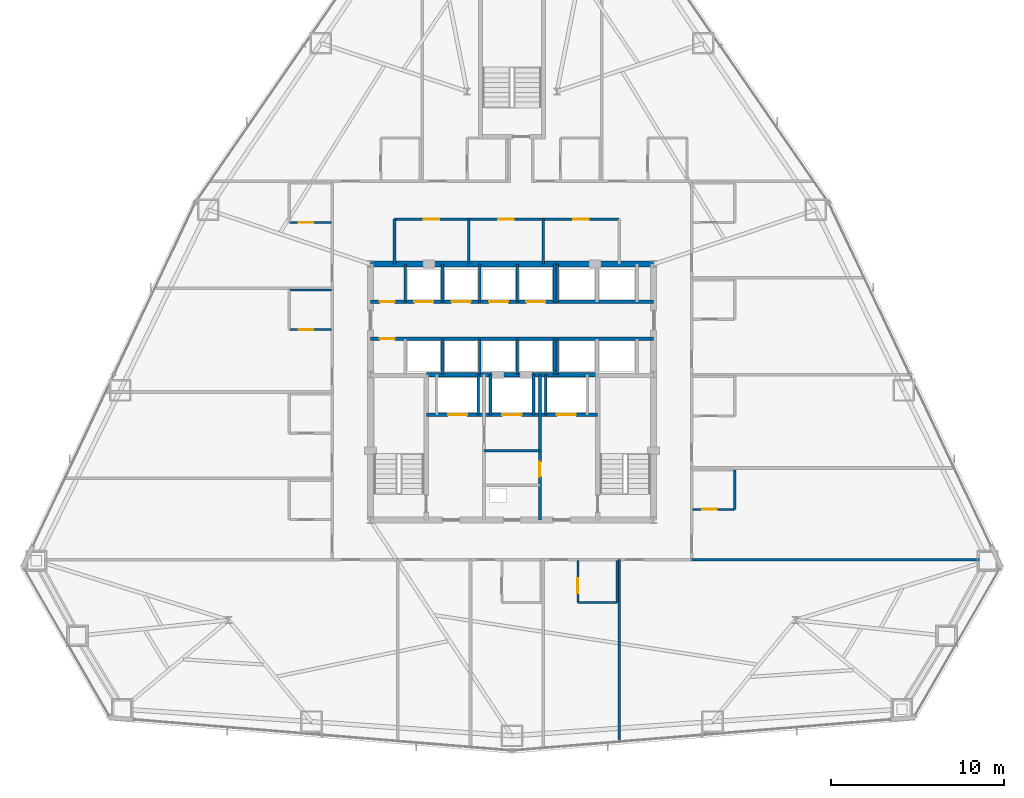
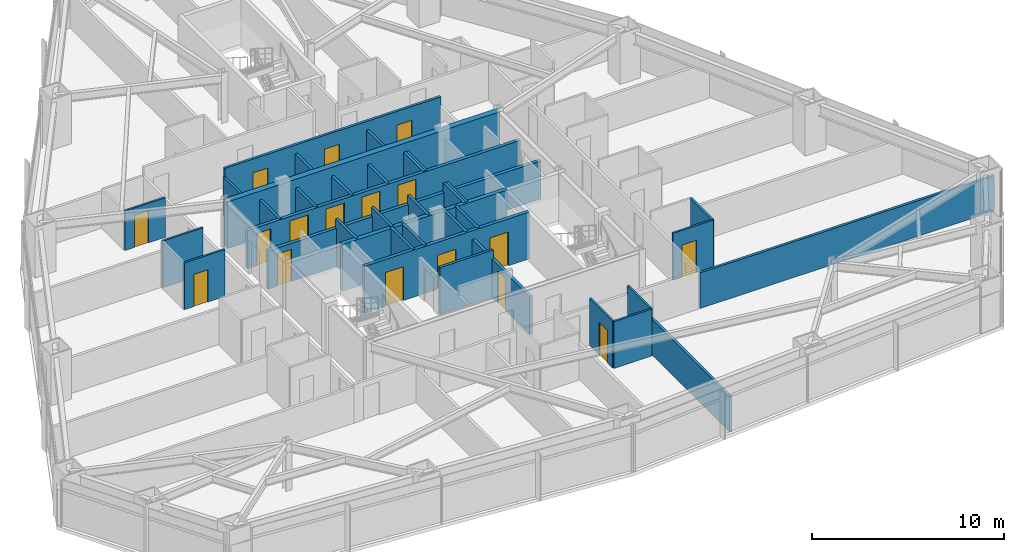
# One storey, part 10 of 13: 36 walls, 17 doors, 17 openings.
"""IFC4 building model written with IfcOpenShell, lengths in metres."""

from ifc_helpers import new_model, si_unit, direction, frame, frame_2d, origin, place, context, subcontext, project, spatial, rectangle, extrude, material, layer, layer_set, type_object, element, fill, save


model = new_model("IFC4")

# Units and contexts
model_context = context("Model", 3, precision=1e-05, world=origin(), true_north=direction((0.0, 1.0)))
body_context = subcontext(model_context, "Body", "Model", "MODEL_VIEW")
ifc_project = project(units=[si_unit("LENGTHUNIT", "METRE"), si_unit("AREAUNIT", "SQUARE_METRE"), si_unit("VOLUMEUNIT", "CUBIC_METRE"), si_unit("PLANEANGLEUNIT", "RADIAN"), si_unit("MASSUNIT", "GRAM", prefix="KILO")], contexts=[model_context])

# Site, building, storey
site_placement = place(None, origin())
site = spatial("IfcSite", under=ifc_project, at=site_placement, CompositionType="ELEMENT")
building_placement = place(site_placement, origin())
building = spatial("IfcBuilding", under=site, at=building_placement, Name="Varakhsha Concourse Tower", CompositionType="ELEMENT")
storey_placement = place(building_placement, frame((0.0, 0.0, 46.39990234375)))
storey = spatial("IfcBuildingStorey", under=building, at=storey_placement, Name="L12", CompositionType="ELEMENT", Elevation=46.39990234375)

# Wall
ifc_material_1 = material(Name="Concrete fc 65 MPa", Category="concrete")
ifc_layer_1 = layer(ifc_material_1, 0.35009765625, Name="WL-CORE-350")
ifc_layer_set_1 = layer_set([ifc_layer_1], Name="Concrete fc 65 MPa")
wall_type_1 = type_object("IfcWallType", Name="WL-CORE-350", PredefinedType="SHEAR", material=ifc_layer_set_1)
wall_1_placement = place(storey_placement, frame((31.800048828125, 31.199951171875, 0.0), z_axis=(0.0, 0.0, 1.0), x_axis=(1.0, 0.0, 0.0)))
element("IfcWall", 1, at=wall_1_placement, inside=storey, type_object=wall_type_1, Name="L12 Wall CWALL-N-L12", PredefinedType="SHEAR", context=body_context, shape_type="SweptSolid", body=[
    extrude(rectangle(XDim=16.39990234375, YDim=0.35009765625, at=frame_2d((8.199951171875, 0.0))), origin(), (0.0, 0.0, 1.0), 2.97998046875),
])

# Wall, opening, door
ifc_material_2 = material(Name="Fire-Rated Type X Gypsum Partition Assembly", Category="gypsum")
ifc_layer_2 = layer(ifc_material_2, 0.179931640625, Name="WL-FFLOB-180")
ifc_layer_set_2 = layer_set([ifc_layer_2], Name="Fire-Rated Type X Gypsum Partition Assembly")
wall_type_2 = type_object("IfcWallType", Name="WL-FFLOB-180", PredefinedType="PARTITIONING", material=ifc_layer_set_2)
wall_2_placement = place(storey_placement, frame((41.610107421875, 16.39990234375, 0.0), z_axis=(0.0, 0.0, 1.0), x_axis=(0.0, 1.0, 0.0)))
wall_2 = element("IfcWall", 2, at=wall_2_placement, inside=storey, type_object=wall_type_2, Name="L12 Wall FFW-2W-L12", PredefinedType="PARTITIONING", context=body_context, shape_type="SweptSolid", body=[
    extrude(rectangle(XDim=8.400146484375, YDim=0.179931640625, at=frame_2d((4.2001953125, 0.0))), origin(), (0.0, 0.0, 1.0), 2.43115234375),
])
opening_1_placement = place(wall_2_placement, frame((2.5, 0.0, 0.0)))
opening_1 = element("IfcOpeningElement", 3, at=opening_1_placement, cuts=wall_2, Name="Opening DF-07", PredefinedType="OPENING", context=body_context, shape_type="SweptSolid", body=[
    extrude(rectangle(XDim=0.85009765625, YDim=2.050048828125, at=frame_2d((0.425048828125, 1.02490234375))), frame((0.0, 0.099853515625, 0.0), z_axis=(0.0, -1.0, 0.0), x_axis=(1.0, 0.0, 0.0)), (0.0, 0.0, 1.0), 0.199951171875),
])
ifc_material_3 = material(Name="Hollow Galvanised Steel Fire Door Assembly", Category="steel")
door_type_1 = type_object("IfcDoorType", Name="DR-FD60-850", OperationType="NOTDEFINED", PredefinedType="DOOR", material=ifc_material_3)
door_1_placement = place(opening_1_placement, origin())
door_1 = element("IfcDoor", 4, at=door_1_placement, inside=storey, type_object=door_type_1, Name="L12 Telecoms Node Door", OperationType="SINGLE_SWING_LEFT", OverallHeight=2.050048828125, OverallWidth=0.85009765625, PredefinedType="DOOR", context=body_context, shape_type="SweptSolid", body=[
    extrude(rectangle(XDim=0.85009765625, YDim=2.050048828125, at=frame_2d((0.425048828125, 1.02490234375))), frame((0.0, 0.02490234375, 0.0), z_axis=(0.0, -1.0, 0.0), x_axis=(1.0, 0.0, 0.0)), (0.0, 0.0, 1.0), 0.050048828125),
])
fill(opening_1, door_1)

ifc_material_4 = material(Name="Acoustic Gypsum Board Partition Assembly", Category="gypsum")
ifc_layer_3 = layer(ifc_material_4, 0.1201171875, Name="WL-PART-120")
ifc_layer_set_3 = layer_set([ifc_layer_3], Name="Acoustic Gypsum Board Partition Assembly")
wall_type_3 = type_object("IfcWallType", Name="WL-PART-120", PredefinedType="PARTITIONING", material=ifc_layer_set_3)
wall_3_placement = place(storey_placement, frame((43.81005859375, 11.610107421875, 0.0), z_axis=(0.0, 0.0, 1.0), x_axis=(0.0, 1.0, 0.0)))
wall_3 = element("IfcWall", 5, at=wall_3_placement, inside=storey, type_object=wall_type_3, Name="L12 Wall ENSW-W-L12-H04", PredefinedType="PARTITIONING", context=body_context, shape_type="SweptSolid", body=[
    extrude(rectangle(XDim=2.429931640625, YDim=0.1201171875, at=frame_2d((1.21484375, 0.0))), origin(), (0.0, 0.0, 1.0), 2.97998046875),
])
opening_2_placement = place(wall_3_placement, frame((0.550048828125, 0.0, 0.0)))
opening_2 = element("IfcOpeningElement", 6, at=opening_2_placement, cuts=wall_3, Name="Opening DI-01", PredefinedType="OPENING", context=body_context, shape_type="SweptSolid", body=[
    extrude(rectangle(XDim=0.85009765625, YDim=2.050048828125, at=frame_2d((0.425048828125, 1.02490234375))), frame((0.0, 0.070068359375, 0.0), z_axis=(0.0, -1.0, 0.0), x_axis=(1.0, 0.0, 0.0)), (0.0, 0.0, 1.0), 0.14013671875),
])
ifc_material_5 = material(Name="Architectural Walnut Acoustic Timber Door", Category="wood")
door_type_2 = type_object("IfcDoorType", Name="DR-INT-850", OperationType="NOTDEFINED", PredefinedType="DOOR", material=ifc_material_5)
door_2_placement = place(opening_2_placement, origin())
door_2 = element("IfcDoor", 7, at=door_2_placement, inside=storey, type_object=door_type_2, Name="L12 En-suite Bathroom Door L12-H04", OperationType="SINGLE_SWING_RIGHT", OverallHeight=2.050048828125, OverallWidth=0.85009765625, PredefinedType="DOOR", context=body_context, shape_type="SweptSolid", body=[
    extrude(rectangle(XDim=0.85009765625, YDim=2.050048828125, at=frame_2d((0.425048828125, 1.02490234375))), frame((0.0, 0.02490234375, 0.0), z_axis=(0.0, -1.0, 0.0), x_axis=(1.0, 0.0, 0.0)), (0.0, 0.0, 1.0), 0.050048828125),
])
fill(opening_2, door_2)

# Walls
wall_4_placement = place(storey_placement, frame((46.090087890625, 11.610107421875, 0.0), z_axis=(0.0, 0.0, 1.0), x_axis=(0.0, 1.0, 0.0)))
element("IfcWall", 8, at=wall_4_placement, inside=storey, type_object=wall_type_3, Name="L12 Wall ENSW-E-L12-H04", PredefinedType="PARTITIONING", context=body_context, shape_type="SweptSolid", body=[
    extrude(rectangle(XDim=2.429931640625, YDim=0.1201171875, at=frame_2d((1.21484375, 0.0))), origin(), (0.0, 0.0, 1.0), 2.97998046875),
])
wall_5_placement = place(storey_placement, frame((43.81005859375, 11.610107421875, 0.0), z_axis=(0.0, 0.0, 1.0), x_axis=(1.0, 0.0, 0.0)))
element("IfcWall", 9, at=wall_5_placement, inside=storey, type_object=wall_type_3, Name="L12 Wall ENSW-S-L12-H04", PredefinedType="PARTITIONING", context=body_context, shape_type="SweptSolid", body=[
    extrude(rectangle(XDim=2.280029296875, YDim=0.1201171875, at=frame_2d((1.14013671875, 0.0))), origin(), (0.0, 0.0, 1.0), 2.97998046875),
])

# Wall, opening, door
wall_6_placement = place(storey_placement, frame((27.110107421875, 27.409912109375, 0.0), z_axis=(0.0, 0.0, 1.0), x_axis=(1.0, 0.0, 0.0)))
wall_6 = element("IfcWall", 10, at=wall_6_placement, inside=storey, type_object=wall_type_3, Name="L12 Wall ENSW-S-L12-H08", PredefinedType="PARTITIONING", context=body_context, shape_type="SweptSolid", body=[
    extrude(rectangle(XDim=2.429931640625, YDim=0.1201171875, at=frame_2d((1.21484375, 0.0))), origin(), (0.0, 0.0, 1.0), 2.97998046875),
])
opening_3_placement = place(wall_6_placement, frame((0.550048828125, 0.0, 0.0)))
opening_3 = element("IfcOpeningElement", 11, at=opening_3_placement, cuts=wall_6, Name="Opening DI-01", PredefinedType="OPENING", context=body_context, shape_type="SweptSolid", body=[
    extrude(rectangle(XDim=0.85009765625, YDim=2.050048828125, at=frame_2d((0.425048828125, 1.02490234375))), frame((0.0, 0.070068359375, 0.0), z_axis=(0.0, -1.0, 0.0), x_axis=(1.0, 0.0, 0.0)), (0.0, 0.0, 1.0), 0.14013671875),
])
door_3_placement = place(opening_3_placement, origin())
door_3 = element("IfcDoor", 12, at=door_3_placement, inside=storey, type_object=door_type_2, Name="L12 En-suite Bathroom Door L12-H08", OperationType="SINGLE_SWING_RIGHT", OverallHeight=2.050048828125, OverallWidth=0.85009765625, PredefinedType="DOOR", context=body_context, shape_type="SweptSolid", body=[
    extrude(rectangle(XDim=0.85009765625, YDim=2.050048828125, at=frame_2d((0.425048828125, 1.02490234375))), frame((0.0, 0.02490234375, 0.0), z_axis=(0.0, -1.0, 0.0), x_axis=(1.0, 0.0, 0.0)), (0.0, 0.0, 1.0), 0.050048828125),
])
fill(opening_3, door_3)

# Wall
wall_7_placement = place(storey_placement, frame((27.110107421875, 29.68994140625, 0.0), z_axis=(0.0, 0.0, 1.0), x_axis=(1.0, 0.0, 0.0)))
element("IfcWall", 13, at=wall_7_placement, inside=storey, type_object=wall_type_3, Name="L12 Wall ENSW-N-L12-H08", PredefinedType="PARTITIONING", context=body_context, shape_type="SweptSolid", body=[
    extrude(rectangle(XDim=2.429931640625, YDim=0.1201171875, at=frame_2d((1.21484375, 0.0))), origin(), (0.0, 0.0, 1.0), 2.97998046875),
])

# Wall, opening, door
wall_8_placement = place(storey_placement, frame((27.110107421875, 33.610107421875, 0.0), z_axis=(0.0, 0.0, 1.0), x_axis=(1.0, 0.0, 0.0)))
wall_8 = element("IfcWall", 14, at=wall_8_placement, inside=storey, type_object=wall_type_3, Name="L12 Wall ENSW-S-L12-H09", PredefinedType="PARTITIONING", context=body_context, shape_type="SweptSolid", body=[
    extrude(rectangle(XDim=2.429931640625, YDim=0.1201171875, at=frame_2d((1.21484375, 0.0))), origin(), (0.0, 0.0, 1.0), 2.51318359375),
])
opening_4_placement = place(wall_8_placement, frame((0.550048828125, 0.0, 0.0)))
opening_4 = element("IfcOpeningElement", 15, at=opening_4_placement, cuts=wall_8, Name="Opening DI-01", PredefinedType="OPENING", context=body_context, shape_type="SweptSolid", body=[
    extrude(rectangle(XDim=0.85009765625, YDim=2.050048828125, at=frame_2d((0.425048828125, 1.02490234375))), frame((0.0, 0.070068359375, 0.0), z_axis=(0.0, -1.0, 0.0), x_axis=(1.0, 0.0, 0.0)), (0.0, 0.0, 1.0), 0.14013671875),
])
door_4_placement = place(opening_4_placement, origin())
door_4 = element("IfcDoor", 16, at=door_4_placement, inside=storey, type_object=door_type_2, Name="L12 En-suite Bathroom Door L12-H09", OperationType="SINGLE_SWING_RIGHT", OverallHeight=2.050048828125, OverallWidth=0.85009765625, PredefinedType="DOOR", context=body_context, shape_type="SweptSolid", body=[
    extrude(rectangle(XDim=0.85009765625, YDim=2.050048828125, at=frame_2d((0.425048828125, 1.02490234375))), frame((0.0, 0.02490234375, 0.0), z_axis=(0.0, -1.0, 0.0), x_axis=(1.0, 0.0, 0.0)), (0.0, 0.0, 1.0), 0.050048828125),
])
fill(opening_4, door_4)

# Wall
wall_9_placement = place(storey_placement, frame((52.889892578125, 17.010009765625, 0.0), z_axis=(0.0, 0.0, 1.0), x_axis=(0.0, 1.0, 0.0)))
element("IfcWall", 17, at=wall_9_placement, inside=storey, type_object=wall_type_3, Name="L12 Wall ENSW-E-L12-H10", PredefinedType="PARTITIONING", context=body_context, shape_type="SweptSolid", body=[
    extrude(rectangle(XDim=2.280029296875, YDim=0.1201171875, at=frame_2d((1.14013671875, 0.0))), origin(), (0.0, 0.0, 1.0), 2.97998046875),
])

# Wall, opening, door
wall_10_placement = place(storey_placement, frame((50.4599609375, 17.010009765625, 0.0), z_axis=(0.0, 0.0, 1.0), x_axis=(1.0, 0.0, 0.0)))
wall_10 = element("IfcWall", 18, at=wall_10_placement, inside=storey, type_object=wall_type_3, Name="L12 Wall ENSW-S-L12-H10", PredefinedType="PARTITIONING", context=body_context, shape_type="SweptSolid", body=[
    extrude(rectangle(XDim=2.429931640625, YDim=0.1201171875, at=frame_2d((1.21484375, 0.0))), origin(), (0.0, 0.0, 1.0), 2.97998046875),
])
opening_5_placement = place(wall_10_placement, frame((0.550048828125, 0.0, 0.0)))
opening_5 = element("IfcOpeningElement", 19, at=opening_5_placement, cuts=wall_10, Name="Opening DI-01", PredefinedType="OPENING", context=body_context, shape_type="SweptSolid", body=[
    extrude(rectangle(XDim=0.85009765625, YDim=2.050048828125, at=frame_2d((0.425048828125, 1.02490234375))), frame((0.0, 0.070068359375, 0.0), z_axis=(0.0, -1.0, 0.0), x_axis=(1.0, 0.0, 0.0)), (0.0, 0.0, 1.0), 0.14013671875),
])
door_5_placement = place(opening_5_placement, origin())
door_5 = element("IfcDoor", 20, at=door_5_placement, inside=storey, type_object=door_type_2, Name="L12 En-suite Bathroom Door L12-H10", OperationType="SINGLE_SWING_RIGHT", OverallHeight=2.050048828125, OverallWidth=0.85009765625, PredefinedType="DOOR", context=body_context, shape_type="SweptSolid", body=[
    extrude(rectangle(XDim=0.85009765625, YDim=2.050048828125, at=frame_2d((0.425048828125, 1.02490234375))), frame((0.0, 0.02490234375, 0.0), z_axis=(0.0, -1.0, 0.0), x_axis=(1.0, 0.0, 0.0)), (0.0, 0.0, 1.0), 0.050048828125),
])
fill(opening_5, door_5)

# Wall
ifc_layer_4 = layer(ifc_material_2, 0.14990234375, Name="WL-PART-150")
ifc_layer_set_4 = layer_set([ifc_layer_4], Name="Fire-Rated Type X Gypsum Partition Assembly")
wall_type_4 = type_object("IfcWallType", Name="WL-PART-150", PredefinedType="PARTITIONING", material=ifc_layer_set_4)
wall_11_placement = place(storey_placement, frame((38.389892578125, 20.39990234375, 0.0), z_axis=(0.0, 0.0, 1.0), x_axis=(1.0, 0.0, 0.0)))
element("IfcWall", 21, at=wall_11_placement, inside=storey, type_object=wall_type_4, Name="L12 Wall RSW-H2-L12", PredefinedType="PARTITIONING", context=body_context, shape_type="SweptSolid", body=[
    extrude(rectangle(XDim=3.22021484375, YDim=0.14990234375, at=frame_2d((1.610107421875, 0.0))), origin(), (0.0, 0.0, 1.0), 2.97998046875),
])

# Wall, openings, doors
wall_12_placement = place(storey_placement, frame((33.199951171875, 33.800048828125, 0.0), z_axis=(0.0, 0.0, 1.0), x_axis=(1.0, 0.0, 0.0)))
wall_12 = element("IfcWall", 22, at=wall_12_placement, inside=storey, type_object=wall_type_4, Name="L12 Wall NBOH-N-L12", PredefinedType="PARTITIONING", context=body_context, shape_type="SweptSolid", body=[
    extrude(rectangle(XDim=13.0, YDim=0.14990234375, at=frame_2d((6.5, 0.0))), origin(), (0.0, 0.0, 1.0), 2.97998046875),
])
opening_6_placement = place(wall_12_placement, frame((1.699951171875, 0.0, 0.0)))
opening_6 = element("IfcOpeningElement", 23, at=opening_6_placement, cuts=wall_12, Name="Opening DF-06", PredefinedType="OPENING", context=body_context, shape_type="SweptSolid", body=[
    extrude(rectangle(XDim=0.89990234375, YDim=2.10009765625, at=frame_2d((0.449951171875, 1.050048828125))), frame((0.0, 0.0849609375, 0.0), z_axis=(0.0, -1.0, 0.0), x_axis=(1.0, 0.0, 0.0)), (0.0, 0.0, 1.0), 0.169921875),
])
opening_7_placement = place(wall_12_placement, frame((6.0, 0.0, 0.0)))
opening_7 = element("IfcOpeningElement", 24, at=opening_7_placement, cuts=wall_12, Name="Opening DF-06", PredefinedType="OPENING", context=body_context, shape_type="SweptSolid", body=[
    extrude(rectangle(XDim=0.89990234375, YDim=2.10009765625, at=frame_2d((0.449951171875, 1.050048828125))), frame((0.0, 0.0849609375, 0.0), z_axis=(0.0, -1.0, 0.0), x_axis=(1.0, 0.0, 0.0)), (0.0, 0.0, 1.0), 0.169921875),
])
opening_8_placement = place(wall_12_placement, frame((10.35009765625, 0.0, 0.0)))
opening_8 = element("IfcOpeningElement", 25, at=opening_8_placement, cuts=wall_12, Name="Opening DF-06", PredefinedType="OPENING", context=body_context, shape_type="SweptSolid", body=[
    extrude(rectangle(XDim=0.89990234375, YDim=2.10009765625, at=frame_2d((0.449951171875, 1.050048828125))), frame((0.0, 0.0849609375, 0.0), z_axis=(0.0, -1.0, 0.0), x_axis=(1.0, 0.0, 0.0)), (0.0, 0.0, 1.0), 0.169921875),
])
door_type_3 = type_object("IfcDoorType", Name="DR-FD60-900", OperationType="NOTDEFINED", PredefinedType="DOOR", material=ifc_material_3)
door_6_placement = place(opening_6_placement, origin())
door_6 = element("IfcDoor", 26, at=door_6_placement, inside=storey, type_object=door_type_3, Name="L12 Housekeeping and Linen Room Door", OperationType="SINGLE_SWING_LEFT", OverallHeight=2.10009765625, OverallWidth=0.89990234375, PredefinedType="DOOR", context=body_context, shape_type="SweptSolid", body=[
    extrude(rectangle(XDim=0.89990234375, YDim=2.10009765625, at=frame_2d((0.449951171875, 1.050048828125))), frame((0.0, 0.02490234375, 0.0), z_axis=(0.0, -1.0, 0.0), x_axis=(1.0, 0.0, 0.0)), (0.0, 0.0, 1.0), 0.050048828125),
])
fill(opening_6, door_6)
door_7_placement = place(opening_7_placement, origin())
door_7 = element("IfcDoor", 27, at=door_7_placement, inside=storey, type_object=door_type_3, Name="L12 Accessible WC Door", OperationType="SINGLE_SWING_RIGHT", OverallHeight=2.10009765625, OverallWidth=0.89990234375, PredefinedType="DOOR", context=body_context, shape_type="SweptSolid", body=[
    extrude(rectangle(XDim=0.89990234375, YDim=2.10009765625, at=frame_2d((0.449951171875, 1.050048828125))), frame((0.0, 0.02490234375, 0.0), z_axis=(0.0, -1.0, 0.0), x_axis=(1.0, 0.0, 0.0)), (0.0, 0.0, 1.0), 0.050048828125),
])
fill(opening_7, door_7)
door_8_placement = place(opening_8_placement, origin())
door_8 = element("IfcDoor", 28, at=door_8_placement, inside=storey, type_object=door_type_3, Name="L12 Staff Restroom WC Door", OperationType="SINGLE_SWING_LEFT", OverallHeight=2.10009765625, OverallWidth=0.89990234375, PredefinedType="DOOR", context=body_context, shape_type="SweptSolid", body=[
    extrude(rectangle(XDim=0.89990234375, YDim=2.10009765625, at=frame_2d((0.449951171875, 1.050048828125))), frame((0.0, 0.02490234375, 0.0), z_axis=(0.0, -1.0, 0.0), x_axis=(1.0, 0.0, 0.0)), (0.0, 0.0, 1.0), 0.050048828125),
])
fill(opening_8, door_8)

# Walls
for number, where, z_axis, x_axis, name in (
    (29, (33.199951171875, 31.199951171875, 0.0), (0.0, 0.0, 1.0), (0.0, 1.0, 0.0), "L12 Wall NBOH-W-L12"),
    (30, (37.5, 31.199951171875, 0.0), (0.0, 0.0, 1.0), (0.0, 1.0, 0.0), "L12 Wall NBOH-D1-L12"),
    (31, (41.800048828125, 31.199951171875, 0.0), (0.0, 0.0, 1.0), (0.0, 1.0, 0.0), "L12 Wall NBOH-D2-L12"),
):
    element("IfcWall", number, at=place(storey_placement, frame(where, z_axis=z_axis, x_axis=x_axis)), inside=storey, type_object=wall_type_4, Name=name, PredefinedType="PARTITIONING", context=body_context, shape_type="SweptSolid", body=[
        extrude(rectangle(XDim=2.60009765625, YDim=0.14990234375, at=frame_2d((1.300048828125, 0.0))), origin(), (0.0, 0.0, 1.0), 2.43115234375),
    ])
wall_13_placement = place(storey_placement, frame((46.199951171875, 3.560791015625, 0.0), z_axis=(0.0, 0.0, 1.0), x_axis=(0.0, 1.0, 0.0)))
element("IfcWall", 32, at=wall_13_placement, inside=storey, type_object=wall_type_4, Name="L12 Wall HDIV-S4-L12", PredefinedType="PARTITIONING", context=body_context, shape_type="SweptSolid", body=[
    extrude(rectangle(XDim=10.539306640625, YDim=0.14990234375, at=frame_2d((5.26953125, 0.0))), origin(), (0.0, 0.0, 1.0), 2.26806640625),
])
wall_14_placement = place(storey_placement, frame((50.39990234375, 14.10009765625, 0.0), z_axis=(0.0, 0.0, 1.0), x_axis=(1.0, 0.0, 0.0)))
element("IfcWall", 33, at=wall_14_placement, inside=storey, type_object=wall_type_4, Name="L12 Wall HDIV-EB0-L12", PredefinedType="PARTITIONING", context=body_context, shape_type="SweptSolid", body=[
    extrude(rectangle(XDim=17.693603515625, YDim=0.14990234375, at=frame_2d((8.8466796875, 0.0))), origin(), (0.0, 0.0, 1.0), 2.26806640625),
])

# Wall, openings, doors
ifc_layer_5 = layer(ifc_material_2, 0.199951171875, Name="WL-SHAFT-220")
ifc_layer_set_5 = layer_set([ifc_layer_5], Name="Fire-Rated Type X Gypsum Partition Assembly")
wall_type_5 = type_object("IfcWallType", Name="WL-SHAFT-220", PredefinedType="SOLIDWALL", material=ifc_layer_set_5)
wall_15_placement = place(storey_placement, frame((35.044921875, 22.47998046875, 0.0), z_axis=(0.0, 0.0, 1.0), x_axis=(1.0, 0.0, 0.0)))
wall_15 = element("IfcWall", 34, at=wall_15_placement, inside=storey, type_object=wall_type_5, Name="L12 Wall FFW-NH-L12", PredefinedType="SOLIDWALL", context=body_context, shape_type="SweptSolid", body=[
    extrude(rectangle(XDim=9.91015625, YDim=0.199951171875, at=frame_2d((4.955078125, 0.0))), origin(), (0.0, 0.0, 1.0), 2.97998046875),
])
opening_9_placement = place(wall_15_placement, frame((1.2548828125, 0.0, 0.0)))
opening_9 = element("IfcOpeningElement", 35, at=opening_9_placement, cuts=wall_15, Name="Opening LD-FFL-1", PredefinedType="OPENING", context=body_context, shape_type="SweptSolid", body=[
    extrude(rectangle(XDim=1.10009765625, YDim=2.14990234375, at=frame_2d((0.550048828125, 1.074951171875))), frame((0.0, 0.10986328125, 0.0), z_axis=(0.0, -1.0, 0.0), x_axis=(1.0, 0.0, 0.0)), (0.0, 0.0, 1.0), 0.219970703125),
])
opening_10_placement = place(wall_15_placement, frame((7.554931640625, 0.0, 0.0)))
opening_10 = element("IfcOpeningElement", 36, at=opening_10_placement, cuts=wall_15, Name="Opening LD-FFL-2", PredefinedType="OPENING", context=body_context, shape_type="SweptSolid", body=[
    extrude(rectangle(XDim=1.10009765625, YDim=2.14990234375, at=frame_2d((0.550048828125, 1.074951171875))), frame((0.0, 0.10986328125, 0.0), z_axis=(0.0, -1.0, 0.0), x_axis=(1.0, 0.0, 0.0)), (0.0, 0.0, 1.0), 0.219970703125),
])
opening_11_placement = place(wall_15_placement, frame((4.405029296875, 0.0, 0.0)))
opening_11 = element("IfcOpeningElement", 37, at=opening_11_placement, cuts=wall_15, Name="Opening LD-SVL-1", PredefinedType="OPENING", context=body_context, shape_type="SweptSolid", body=[
    extrude(rectangle(XDim=1.10009765625, YDim=2.14990234375, at=frame_2d((0.550048828125, 1.074951171875))), frame((0.0, 0.10986328125, 0.0), z_axis=(0.0, -1.0, 0.0), x_axis=(1.0, 0.0, 0.0)), (0.0, 0.0, 1.0), 0.219970703125),
])
ifc_material_6 = material(Name="Brushed Austenitic Stainless Steel AISI 316", Category="steel")
door_type_4 = type_object("IfcDoorType", Name="DR-LD-1100", OperationType="DOUBLE_DOOR_SLIDING", PredefinedType="DOOR", material=ifc_material_6)
door_9_placement = place(opening_9_placement, origin())
door_9 = element("IfcDoor", 38, at=door_9_placement, inside=storey, type_object=door_type_4, Name="Lift Landing Door FFL-1 L12", OperationType="DOUBLE_DOOR_SLIDING", OverallHeight=2.14990234375, OverallWidth=1.10009765625, PredefinedType="DOOR", context=body_context, shape_type="SweptSolid", body=[
    extrude(rectangle(XDim=1.10009765625, YDim=2.14990234375, at=frame_2d((0.550048828125, 1.074951171875))), frame((0.0, 0.02490234375, 0.0), z_axis=(0.0, -1.0, 0.0), x_axis=(1.0, 0.0, 0.0)), (0.0, 0.0, 1.0), 0.050048828125),
])
fill(opening_9, door_9)
door_10_placement = place(opening_10_placement, origin())
door_10 = element("IfcDoor", 39, at=door_10_placement, inside=storey, type_object=door_type_4, Name="Lift Landing Door FFL-2 L12", OperationType="DOUBLE_DOOR_SLIDING", OverallHeight=2.14990234375, OverallWidth=1.10009765625, PredefinedType="DOOR", context=body_context, shape_type="SweptSolid", body=[
    extrude(rectangle(XDim=1.10009765625, YDim=2.14990234375, at=frame_2d((0.550048828125, 1.074951171875))), frame((0.0, 0.02490234375, 0.0), z_axis=(0.0, -1.0, 0.0), x_axis=(1.0, 0.0, 0.0)), (0.0, 0.0, 1.0), 0.050048828125),
])
fill(opening_10, door_10)
door_11_placement = place(opening_11_placement, origin())
door_11 = element("IfcDoor", 40, at=door_11_placement, inside=storey, type_object=door_type_4, Name="Lift Landing Door SVL-1 L12", OperationType="DOUBLE_DOOR_SLIDING", OverallHeight=2.14990234375, OverallWidth=1.10009765625, PredefinedType="DOOR", context=body_context, shape_type="SweptSolid", body=[
    extrude(rectangle(XDim=1.10009765625, YDim=2.14990234375, at=frame_2d((0.550048828125, 1.074951171875))), frame((0.0, 0.02490234375, 0.0), z_axis=(0.0, -1.0, 0.0), x_axis=(1.0, 0.0, 0.0)), (0.0, 0.0, 1.0), 0.050048828125),
])
fill(opening_11, door_11)

# Walls
for number, where, z_axis, x_axis, name in (
    (41, (38.050048828125, 22.47998046875, 0.0), (0.0, 0.0, 1.0), (0.0, 1.0, 0.0), "L12 Wall SHW-FFL-1-E-L12"),
    (42, (41.949951171875, 22.47998046875, 0.0), (0.0, 0.0, 1.0), (0.0, 1.0, 0.0), "L12 Wall SHW-FFL-2-W-L12"),
    (43, (38.75, 22.47998046875, 0.0), (0.0, 0.0, 1.0), (0.0, 1.0, 0.0), "L12 Wall SHW-SVL-1-W-L12"),
    (44, (41.25, 22.47998046875, 0.0), (0.0, 0.0, 1.0), (0.0, 1.0, 0.0), "L12 Wall SHW-SVL-1-E-L12"),
):
    element("IfcWall", number, at=place(storey_placement, frame(where, z_axis=z_axis, x_axis=x_axis)), inside=storey, type_object=wall_type_5, Name=name, PredefinedType="SOLIDWALL", context=body_context, shape_type="SweptSolid", body=[
        extrude(rectangle(XDim=2.320068359375, YDim=0.159912109375, at=frame_2d((1.16015625, 0.0))), origin(), (0.0, 0.0, 1.0), 2.97998046875),
    ])

# Wall, openings, doors
wall_16_placement = place(storey_placement, frame((31.800048828125, 29.02001953125, 0.0), z_axis=(0.0, 0.0, 1.0), x_axis=(1.0, 0.0, 0.0)))
wall_16 = element("IfcWall", 45, at=wall_16_placement, inside=storey, type_object=wall_type_5, Name="L12 Wall PLW-N-L12", PredefinedType="SOLIDWALL", context=body_context, shape_type="SweptSolid", body=[
    extrude(rectangle(XDim=16.39990234375, YDim=0.199951171875, at=frame_2d((8.199951171875, 0.0))), origin(), (0.0, 0.0, 1.0), 2.43115234375),
])
opening_12_placement = place(wall_16_placement, frame((0.550048828125, 0.0, 0.0)))
opening_12 = element("IfcOpeningElement", 46, at=opening_12_placement, cuts=wall_16, Name="Opening DF-07", PredefinedType="OPENING", context=body_context, shape_type="SweptSolid", body=[
    extrude(rectangle(XDim=0.85009765625, YDim=2.050048828125, at=frame_2d((0.425048828125, 1.02490234375))), frame((0.0, 0.10986328125, 0.0), z_axis=(0.0, -1.0, 0.0), x_axis=(1.0, 0.0, 0.0)), (0.0, 0.0, 1.0), 0.219970703125),
])
opening_13_placement = place(wall_16_placement, frame((2.550048828125, 0.0, 0.0)))
opening_13 = element("IfcOpeningElement", 47, at=opening_13_placement, cuts=wall_16, Name="Opening LD-LF-P01", PredefinedType="OPENING", context=body_context, shape_type="SweptSolid", body=[
    extrude(rectangle(XDim=1.10009765625, YDim=2.14990234375, at=frame_2d((0.550048828125, 1.074951171875))), frame((0.0, 0.10986328125, 0.0), z_axis=(0.0, -1.0, 0.0), x_axis=(1.0, 0.0, 0.0)), (0.0, 0.0, 1.0), 0.219970703125),
])
opening_14_placement = place(wall_16_placement, frame((4.7099609375, 0.0, 0.0)))
opening_14 = element("IfcOpeningElement", 48, at=opening_14_placement, cuts=wall_16, Name="Opening LD-LF-P02", PredefinedType="OPENING", context=body_context, shape_type="SweptSolid", body=[
    extrude(rectangle(XDim=1.10009765625, YDim=2.14990234375, at=frame_2d((0.550048828125, 1.074951171875))), frame((0.0, 0.10986328125, 0.0), z_axis=(0.0, -1.0, 0.0), x_axis=(1.0, 0.0, 0.0)), (0.0, 0.0, 1.0), 0.219970703125),
])
opening_15_placement = place(wall_16_placement, frame((6.8701171875, 0.0, 0.0)))
opening_15 = element("IfcOpeningElement", 49, at=opening_15_placement, cuts=wall_16, Name="Opening LD-LF-P03", PredefinedType="OPENING", context=body_context, shape_type="SweptSolid", body=[
    extrude(rectangle(XDim=1.10009765625, YDim=2.14990234375, at=frame_2d((0.550048828125, 1.074951171875))), frame((0.0, 0.10986328125, 0.0), z_axis=(0.0, -1.0, 0.0), x_axis=(1.0, 0.0, 0.0)), (0.0, 0.0, 1.0), 0.219970703125),
])
opening_16_placement = place(wall_16_placement, frame((9.030029296875, 0.0, 0.0)))
opening_16 = element("IfcOpeningElement", 50, at=opening_16_placement, cuts=wall_16, Name="Opening LD-LF-P04", PredefinedType="OPENING", context=body_context, shape_type="SweptSolid", body=[
    extrude(rectangle(XDim=1.10009765625, YDim=2.14990234375, at=frame_2d((0.550048828125, 1.074951171875))), frame((0.0, 0.10986328125, 0.0), z_axis=(0.0, -1.0, 0.0), x_axis=(1.0, 0.0, 0.0)), (0.0, 0.0, 1.0), 0.219970703125),
])
door_12_placement = place(opening_12_placement, origin())
door_12 = element("IfcDoor", 51, at=door_12_placement, inside=storey, type_object=door_type_1, Name="L12 Core Janitor Closet Door", OperationType="SINGLE_SWING_LEFT", OverallHeight=2.050048828125, OverallWidth=0.85009765625, PredefinedType="DOOR", context=body_context, shape_type="SweptSolid", body=[
    extrude(rectangle(XDim=0.85009765625, YDim=2.050048828125, at=frame_2d((0.425048828125, 1.02490234375))), frame((0.0, 0.02490234375, 0.0), z_axis=(0.0, -1.0, 0.0), x_axis=(1.0, 0.0, 0.0)), (0.0, 0.0, 1.0), 0.050048828125),
])
fill(opening_12, door_12)
door_13_placement = place(opening_13_placement, origin())
door_13 = element("IfcDoor", 52, at=door_13_placement, inside=storey, type_object=door_type_4, Name="Lift Landing Door LF-P01 L12", OperationType="DOUBLE_DOOR_SLIDING", OverallHeight=2.14990234375, OverallWidth=1.10009765625, PredefinedType="DOOR", context=body_context, shape_type="SweptSolid", body=[
    extrude(rectangle(XDim=1.10009765625, YDim=2.14990234375, at=frame_2d((0.550048828125, 1.074951171875))), frame((0.0, 0.02490234375, 0.0), z_axis=(0.0, -1.0, 0.0), x_axis=(1.0, 0.0, 0.0)), (0.0, 0.0, 1.0), 0.050048828125),
])
fill(opening_13, door_13)
door_14_placement = place(opening_14_placement, origin())
door_14 = element("IfcDoor", 53, at=door_14_placement, inside=storey, type_object=door_type_4, Name="Lift Landing Door LF-P02 L12", OperationType="DOUBLE_DOOR_SLIDING", OverallHeight=2.14990234375, OverallWidth=1.10009765625, PredefinedType="DOOR", context=body_context, shape_type="SweptSolid", body=[
    extrude(rectangle(XDim=1.10009765625, YDim=2.14990234375, at=frame_2d((0.550048828125, 1.074951171875))), frame((0.0, 0.02490234375, 0.0), z_axis=(0.0, -1.0, 0.0), x_axis=(1.0, 0.0, 0.0)), (0.0, 0.0, 1.0), 0.050048828125),
])
fill(opening_14, door_14)
door_15_placement = place(opening_15_placement, origin())
door_15 = element("IfcDoor", 54, at=door_15_placement, inside=storey, type_object=door_type_4, Name="Lift Landing Door LF-P03 L12", OperationType="DOUBLE_DOOR_SLIDING", OverallHeight=2.14990234375, OverallWidth=1.10009765625, PredefinedType="DOOR", context=body_context, shape_type="SweptSolid", body=[
    extrude(rectangle(XDim=1.10009765625, YDim=2.14990234375, at=frame_2d((0.550048828125, 1.074951171875))), frame((0.0, 0.02490234375, 0.0), z_axis=(0.0, -1.0, 0.0), x_axis=(1.0, 0.0, 0.0)), (0.0, 0.0, 1.0), 0.050048828125),
])
fill(opening_15, door_15)
door_16_placement = place(opening_16_placement, origin())
door_16 = element("IfcDoor", 55, at=door_16_placement, inside=storey, type_object=door_type_4, Name="Lift Landing Door LF-P04 L12", OperationType="DOUBLE_DOOR_SLIDING", OverallHeight=2.14990234375, OverallWidth=1.10009765625, PredefinedType="DOOR", context=body_context, shape_type="SweptSolid", body=[
    extrude(rectangle(XDim=1.10009765625, YDim=2.14990234375, at=frame_2d((0.550048828125, 1.074951171875))), frame((0.0, 0.02490234375, 0.0), z_axis=(0.0, -1.0, 0.0), x_axis=(1.0, 0.0, 0.0)), (0.0, 0.0, 1.0), 0.050048828125),
])
fill(opening_16, door_16)

# Wall, opening, door
wall_17_placement = place(storey_placement, frame((31.800048828125, 26.8798828125, 0.0), z_axis=(0.0, 0.0, 1.0), x_axis=(1.0, 0.0, 0.0)))
wall_17 = element("IfcWall", 56, at=wall_17_placement, inside=storey, type_object=wall_type_5, Name="L12 Wall PLW-S-L12", PredefinedType="SOLIDWALL", context=body_context, shape_type="SweptSolid", body=[
    extrude(rectangle(XDim=16.39990234375, YDim=0.199951171875, at=frame_2d((8.199951171875, 0.0))), origin(), (0.0, 0.0, 1.0), 2.43115234375),
])
opening_17_placement = place(wall_17_placement, frame((0.550048828125, 0.0, 0.0)))
opening_17 = element("IfcOpeningElement", 57, at=opening_17_placement, cuts=wall_17, Name="Opening DF-07", PredefinedType="OPENING", context=body_context, shape_type="SweptSolid", body=[
    extrude(rectangle(XDim=0.85009765625, YDim=2.050048828125, at=frame_2d((0.425048828125, 1.02490234375))), frame((0.0, 0.10986328125, 0.0), z_axis=(0.0, -1.0, 0.0), x_axis=(1.0, 0.0, 0.0)), (0.0, 0.0, 1.0), 0.219970703125),
])
door_17_placement = place(opening_17_placement, origin())
door_17 = element("IfcDoor", 58, at=door_17_placement, inside=storey, type_object=door_type_1, Name="L12 Core Telecoms Closet Door", OperationType="SINGLE_SWING_RIGHT", OverallHeight=2.050048828125, OverallWidth=0.85009765625, PredefinedType="DOOR", context=body_context, shape_type="SweptSolid", body=[
    extrude(rectangle(XDim=0.85009765625, YDim=2.050048828125, at=frame_2d((0.425048828125, 1.02490234375))), frame((0.0, 0.02490234375, 0.0), z_axis=(0.0, -1.0, 0.0), x_axis=(1.0, 0.0, 0.0)), (0.0, 0.0, 1.0), 0.050048828125),
])
fill(opening_17, door_17)

# Walls
for number, where, z_axis, x_axis, name in (
    (59, (33.820068359375, 29.02001953125, 0.0), (0.0, 0.0, 1.0), (0.0, 1.0, 0.0), "L12 Wall WBOH-E1-L12"),
    (60, (35.97998046875, 29.02001953125, 0.0), (0.0, 0.0, 1.0), (0.0, 1.0, 0.0), "L12 Wall SHW-LF-P01-E-L12"),
    (61, (38.139892578125, 29.02001953125, 0.0), (0.0, 0.0, 1.0), (0.0, 1.0, 0.0), "L12 Wall SHW-LF-P02-E-L12"),
    (62, (40.300048828125, 29.02001953125, 0.0), (0.0, 0.0, 1.0), (0.0, 1.0, 0.0), "L12 Wall SHW-LF-P03-E-L12"),
    (63, (42.4599609375, 29.02001953125, 0.0), (0.0, 0.0, 1.0), (0.0, 1.0, 0.0), "L12 Wall SHW-LF-P04-E-L12"),
):
    element("IfcWall", number, at=place(storey_placement, frame(where, z_axis=z_axis, x_axis=x_axis)), inside=storey, type_object=wall_type_5, Name=name, PredefinedType="SOLIDWALL", context=body_context, shape_type="SweptSolid", body=[
        extrude(rectangle(XDim=2.179931640625, YDim=0.159912109375, at=frame_2d((1.08984375, 0.0))), origin(), (0.0, 0.0, 1.0), 2.43115234375),
    ])
for number, where, z_axis, x_axis, name in (
    (64, (35.97998046875, 24.800048828125, 0.0), (0.0, 0.0, 1.0), (0.0, 1.0, 0.0), "L12 Wall SHW-LF-P05-E-L12"),
    (65, (38.139892578125, 24.800048828125, 0.0), (0.0, 0.0, 1.0), (0.0, 1.0, 0.0), "L12 Wall SHW-LF-P06-E-L12"),
    (66, (40.300048828125, 24.800048828125, 0.0), (0.0, 0.0, 1.0), (0.0, 1.0, 0.0), "L12 Wall SHW-LF-P07-E-L12"),
    (67, (42.4599609375, 24.800048828125, 0.0), (0.0, 0.0, 1.0), (0.0, 1.0, 0.0), "L12 Wall SHW-LF-P08-E-L12"),
):
    element("IfcWall", number, at=place(storey_placement, frame(where, z_axis=z_axis, x_axis=x_axis)), inside=storey, type_object=wall_type_5, Name=name, PredefinedType="SOLIDWALL", context=body_context, shape_type="SweptSolid", body=[
        extrude(rectangle(XDim=2.079833984375, YDim=0.159912109375, at=frame_2d((1.0400390625, 0.0))), origin(), (0.0, 0.0, 1.0), 2.97998046875),
    ])
wall_18_placement = place(storey_placement, frame((42.60009765625, 29.02001953125, 0.0), z_axis=(0.0, 0.0, 1.0), x_axis=(0.0, 1.0, 0.0)))
element("IfcWall", 68, at=wall_18_placement, inside=storey, type_object=wall_type_5, Name="L12 Wall SHW-LF-P09-W-L12", PredefinedType="SOLIDWALL", context=body_context, shape_type="SweptSolid", body=[
    extrude(rectangle(XDim=2.179931640625, YDim=0.159912109375, at=frame_2d((1.08984375, 0.0))), origin(), (0.0, 0.0, 1.0), 2.43115234375),
])
wall_19_placement = place(storey_placement, frame((42.60009765625, 24.800048828125, 0.0), z_axis=(0.0, 0.0, 1.0), x_axis=(0.0, 1.0, 0.0)))
element("IfcWall", 69, at=wall_19_placement, inside=storey, type_object=wall_type_5, Name="L12 Wall SHW-LF-P11-W-L12", PredefinedType="SOLIDWALL", context=body_context, shape_type="SweptSolid", body=[
    extrude(rectangle(XDim=2.079833984375, YDim=0.159912109375, at=frame_2d((1.0400390625, 0.0))), origin(), (0.0, 0.0, 1.0), 2.97998046875),
])
ifc_material_7 = material(Name="Concrete fc 45 MPa", Category="concrete")
ifc_layer_6 = layer(ifc_material_7, 0.25, Name="WL-STAIR-250")
ifc_layer_set_6 = layer_set([ifc_layer_6], Name="Concrete fc 45 MPa")
wall_type_6 = type_object("IfcWallType", Name="WL-STAIR-250", PredefinedType="SHEAR", material=ifc_layer_set_6)
wall_20_placement = place(storey_placement, frame((35.044921875, 24.800048828125, 0.0), z_axis=(0.0, 0.0, 1.0), x_axis=(1.0, 0.0, 0.0)))
element("IfcWall", 70, at=wall_20_placement, inside=storey, type_object=wall_type_6, Name="L12 Wall SWALL-MID-H-L12", PredefinedType="SHEAR", context=body_context, shape_type="SweptSolid", body=[
    extrude(rectangle(XDim=9.91015625, YDim=0.25, at=frame_2d((4.955078125, 0.0))), origin(), (0.0, 0.0, 1.0), 2.97998046875),
])

save(model, "model.ifc")
